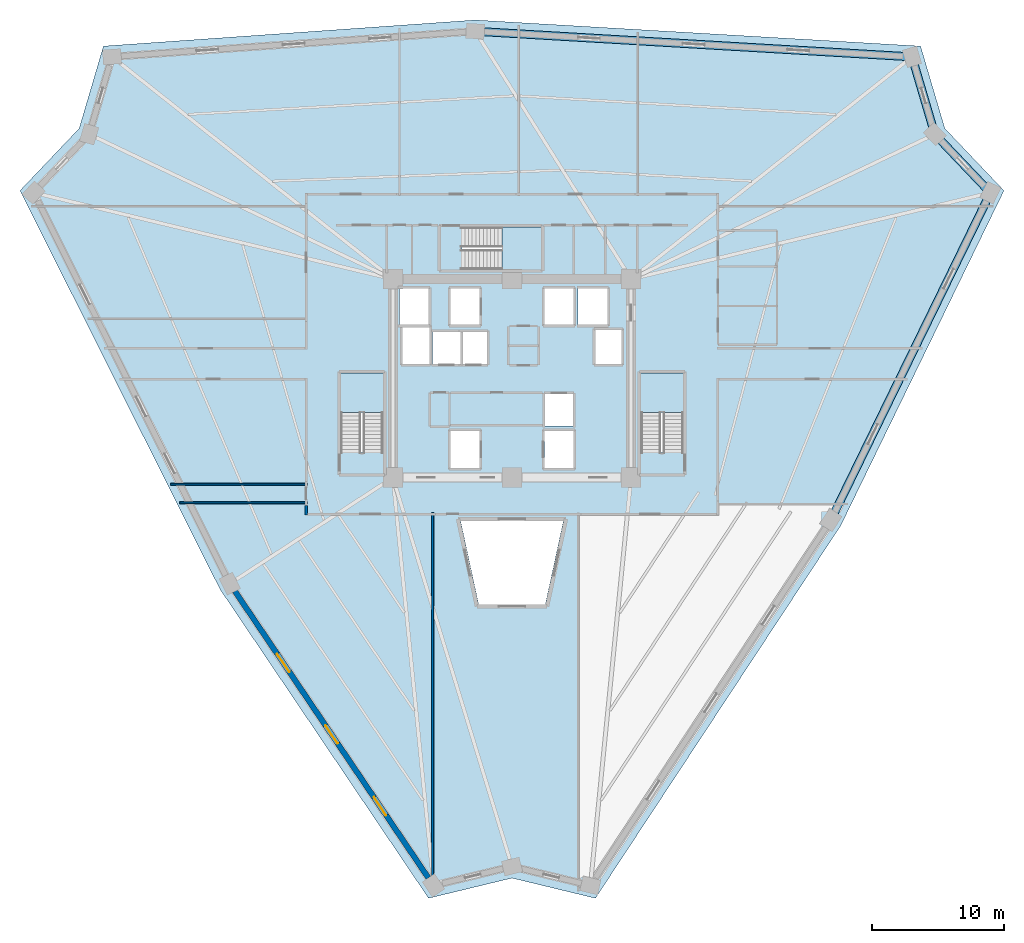
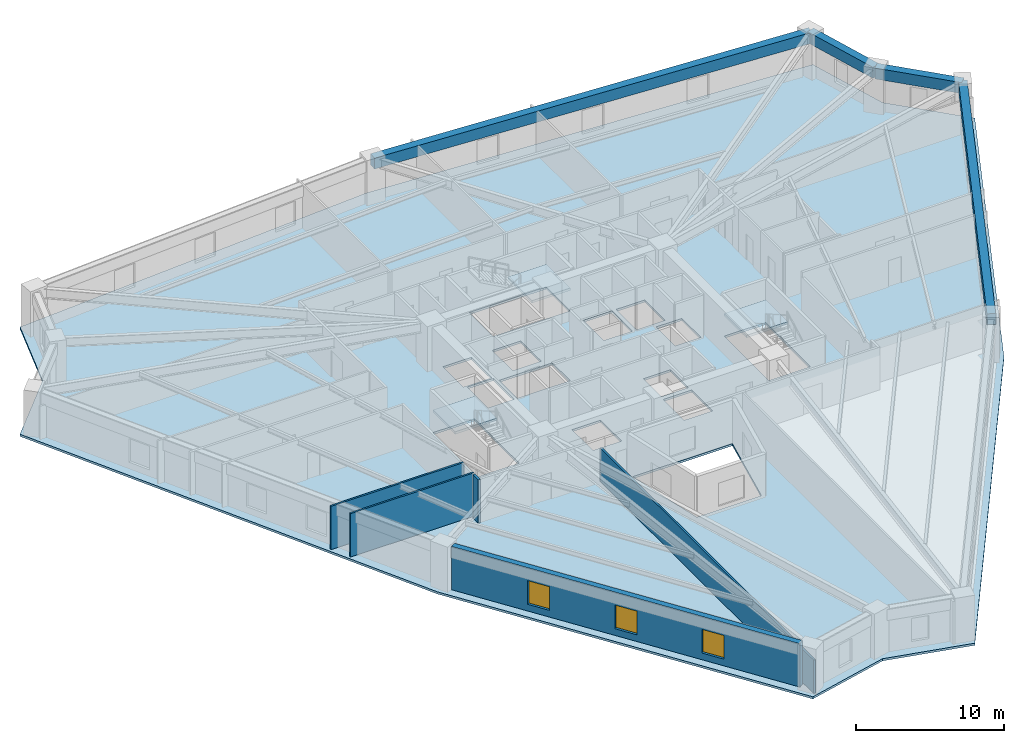
# One storey, part 2 of 10: 5 walls, 4 beams, 4 slabs, 3 windows, 3 openings, 3 elements without a shape of their own.
"""IFC4 building model written with IfcOpenShell, lengths in metres."""

from ifc_helpers import new_model, si_unit, direction, frame, frame_2d, origin, origin_2d, place, context, subcontext, project, spatial, polyline, rectangle, outline, extrude, source, transform, mapped, material, layer, layer_set, material_profile, profile_set, type_object, element, fill, aggregate, save


model = new_model("IFC4")

# Units and contexts
model_context = context("Model", 3, precision=1e-05, world=origin(), true_north=direction((0.0, 1.0)))
body_context = subcontext(model_context, "Body", "Model", "MODEL_VIEW")
ifc_project = project(units=[si_unit("LENGTHUNIT", "METRE"), si_unit("AREAUNIT", "SQUARE_METRE"), si_unit("VOLUMEUNIT", "CUBIC_METRE"), si_unit("PLANEANGLEUNIT", "RADIAN"), si_unit("MASSUNIT", "GRAM", prefix="KILO")], contexts=[model_context])

# Site, building, storey
site_placement = place(None, origin())
site = spatial("IfcSite", under=ifc_project, at=site_placement, CompositionType="ELEMENT")
building_placement = place(site_placement, origin())
building = spatial("IfcBuilding", under=site, at=building_placement, Name="Liaohun Quay Tower", CompositionType="ELEMENT")
storey_placement = place(building_placement, frame((0.0, 0.0, 124.5)))
storey = spatial("IfcBuildingStorey", under=building, at=storey_placement, Name="L32", CompositionType="ELEMENT", Elevation=124.5)

# Beams
ifc_material_1 = material(Name="Precast concrete C55", Category="concrete")
ifc_material_profile = material_profile(ifc_material_1, rectangle(XDim=0.60009765625, YDim=0.89990234375, at=origin_2d()), Name="RC600x900")
ifc_profile_set = profile_set([ifc_material_profile], Name="Precast concrete C55")
beam_type = type_object("IfcBeamType", Name="BM-SPD-Z2", PredefinedType="SPANDREL", material=ifc_profile_set)
shared_shape_1 = source(origin(), body_context, "Body", "SweptSolid", [
    extrude(rectangle(XDim=0.60009765625, YDim=0.89990234375, at=origin_2d()), origin(), (0.0, 0.0, 1.0), 27.518798828125),
])
beam_1_placement = place(storey_placement, frame((96.156005859375, 68.027099609375, 3.1201171875), z_axis=(-0.438130832845, -0.898911215477, 0.0), x_axis=(0.898911215477, -0.438130832845, 0.0)))
element("IfcBeam", 1, at=beam_1_placement, inside=storey, type_object=beam_type, Name="L32 Precast Spandrel Beam PC09-PC10", PredefinedType="SPANDREL", context=body_context, shape_type="MappedRepresentation", body=[
    mapped(shared_shape_1, transform((0.0, 0.0, 0.0), x_axis=(1.0, 0.0, 0.0), y_axis=(0.0, 1.0, 0.0), z_axis=(0.0, 0.0, 1.0), scale=1.0)),
])
shared_shape_2 = source(origin(), body_context, "Body", "SweptSolid", [
    extrude(rectangle(XDim=0.60009765625, YDim=0.89990234375, at=origin_2d()), origin(), (0.0, 0.0, 1.0), 33.05859375),
])
beam_2_placement = place(storey_placement, frame((57.22607421875, 80.22607421875, 3.1201171875), z_axis=(0.998287133367, -0.058504695142, 0.0), x_axis=(0.058504695142, 0.998287133367, 0.0)))
element("IfcBeam", 2, at=beam_2_placement, inside=storey, type_object=beam_type, Name="L32 Precast Spandrel Beam PC06-PC07", PredefinedType="SPANDREL", context=body_context, shape_type="MappedRepresentation", body=[
    mapped(shared_shape_2, transform((0.0, 0.0, 0.0), x_axis=(1.0, 0.0, 0.0), y_axis=(0.0, 1.0, 0.0), z_axis=(0.0, 0.0, 1.0), scale=1.0)),
])
shared_shape_3 = source(origin(), body_context, "Body", "SweptSolid", [
    extrude(rectangle(XDim=0.60009765625, YDim=0.89990234375, at=origin_2d()), origin(), (0.0, 0.0, 1.0), 6.09326171875),
])
beam_3_placement = place(storey_placement, frame((90.22802734375, 78.2919921875, 3.1201171875), z_axis=(0.282591464214, -0.959240357967, 0.0), x_axis=(0.959240357967, 0.282591464214, 0.0)))
element("IfcBeam", 3, at=beam_3_placement, inside=storey, type_object=beam_type, Name="L32 Precast Spandrel Beam PC07-PC08", PredefinedType="SPANDREL", context=body_context, shape_type="MappedRepresentation", body=[
    mapped(shared_shape_3, transform((0.0, 0.0, 0.0), x_axis=(1.0, 0.0, 0.0), y_axis=(0.0, 1.0, 0.0), z_axis=(0.0, 0.0, 1.0), scale=1.0)),
])
shared_shape_4 = source(origin(), body_context, "Body", "SweptSolid", [
    extrude(rectangle(XDim=0.60009765625, YDim=0.89990234375, at=origin_2d()), origin(), (0.0, 0.0, 1.0), 6.101318359375),
])
beam_4_placement = place(storey_placement, frame((91.949951171875, 72.447021484375, 3.1201171875), z_axis=(0.689363360648, -0.724415734918, 0.0), x_axis=(0.724415734918, 0.689363360648, 0.0)))
element("IfcBeam", 4, at=beam_4_placement, inside=storey, type_object=beam_type, Name="L32 Precast Spandrel Beam PC08-PC09", PredefinedType="SPANDREL", context=body_context, shape_type="MappedRepresentation", body=[
    mapped(shared_shape_4, transform((0.0, 0.0, 0.0), x_axis=(1.0, 0.0, 0.0), y_axis=(0.0, 1.0, 0.0), z_axis=(0.0, 0.0, 1.0), scale=1.0)),
])

# Stair, slab
ifc_material_2 = material(Name="Concrete C45", Category="concrete")
stair_type = type_object("IfcStairType", Name="STR-CORE-OFF", PredefinedType="HALF_TURN_STAIR", material=ifc_material_2)
stair_1_placement = place(storey_placement, origin())
stair_1 = element("IfcStair", 5, at=stair_1_placement, inside=storey, type_object=stair_type, Name="L32 Smokeproof Core Exit Stair ST-1", PredefinedType="HALF_TURN_STAIR")
ifc_layer_1 = layer(ifc_material_2, 0.199951171875, Name="Concrete C45", Category="concrete")
ifc_layer_set_1 = layer_set([ifc_layer_1], Name="Concrete C45")
slab_type_1 = type_object("IfcSlabType", Name="SLB-LND-200", PredefinedType="LANDING", material=ifc_layer_set_1)
slab_1_placement = place(storey_placement, frame((0.0, 0.0, 1.675048828125)))
slab_1 = element("IfcSlab", 6, at=slab_1_placement, type_object=slab_type_1, Name="ST-1 landing 1", PredefinedType="LANDING", context=body_context, shape_type="SweptSolid", body=[
    extrude(outline(polyline([(50.280029296875, 51.429931640625), (50.280029296875, 54.419921875), (47.0400390625, 54.419921875), (47.0400390625, 51.429931640625), (50.280029296875, 51.429931640625)])), origin(), (0.0, 0.0, 1.0), 0.199951171875),
])
aggregate(stair_1, [slab_1])

stair_2_placement = place(storey_placement, origin())
stair_2 = element("IfcStair", 7, at=stair_2_placement, inside=storey, type_object=stair_type, Name="L32 Smokeproof Core Exit Stair ST-2", PredefinedType="HALF_TURN_STAIR")
slab_2_placement = place(storey_placement, frame((0.0, 0.0, 1.675048828125)))
slab_2 = element("IfcSlab", 8, at=slab_2_placement, type_object=slab_type_1, Name="ST-2 landing 1", PredefinedType="LANDING", context=body_context, shape_type="SweptSolid", body=[
    extrude(outline(polyline([(72.9599609375, 51.429931640625), (72.9599609375, 54.419921875), (69.719970703125, 54.419921875), (69.719970703125, 51.429931640625), (72.9599609375, 51.429931640625)])), origin(), (0.0, 0.0, 1.0), 0.199951171875),
])
aggregate(stair_2, [slab_2])

stair_3_placement = place(storey_placement, origin())
stair_3 = element("IfcStair", 9, at=stair_3_placement, inside=storey, type_object=stair_type, Name="L32 Smokeproof Core Exit Stair ST-3", PredefinedType="HALF_TURN_STAIR")
slab_3_placement = place(storey_placement, frame((0.0, 0.0, 1.675048828125)))
slab_3 = element("IfcSlab", 10, at=slab_3_placement, type_object=slab_type_1, Name="ST-3 landing 1", PredefinedType="LANDING", context=body_context, shape_type="SweptSolid", body=[
    extrude(outline(polyline([(59.22998046875, 62.199951171875), (62.219970703125, 62.199951171875), (62.219970703125, 65.43994140625), (59.22998046875, 65.43994140625), (59.22998046875, 62.199951171875)])), origin(), (0.0, 0.0, 1.0), 0.199951171875),
])
aggregate(stair_3, [slab_3])

# Slab
ifc_layer_2 = layer(ifc_material_2, 0.179931640625, Name="Concrete C45", Category="concrete")
ifc_layer_set_2 = layer_set([ifc_layer_2], Name="Concrete C45")
slab_type_2 = type_object("IfcSlabType", Name="SLB-OFF-180", PredefinedType="FLOOR", material=ifc_layer_set_2)
slab_4_placement = place(storey_placement, frame((0.0, 0.0, -0.179931640625)))
element("IfcSlab", 11, at=slab_4_placement, inside=storey, type_object=slab_type_2, Name="L32 Structural Floor Slab", PredefinedType="FLOOR", context=body_context, shape_type="SweptSolid", body=[
    extrude(outline(polyline([(53.695068359375, 14.7099609375), (60.0, 16.23291015625), (66.304931640625, 14.7099609375), (84.839111328125, 42.867919921875), (97.178955078125, 68.18505859375), (92.70703125, 72.884033203125), (90.8740234375, 79.10595703125), (57.220947265625, 81.077880859375), (29.1259765625, 79.10595703125), (27.29296875, 72.884033203125), (22.821044921875, 68.18505859375), (37.93896484375, 38.054931640625), (53.695068359375, 14.7099609375)]), holes=[polyline([(57.56005859375, 50.030029296875), (55.340087890625, 50.030029296875), (55.340087890625, 47.2099609375), (57.56005859375, 47.2099609375), (57.56005859375, 50.030029296875)]), polyline([(50.280029296875, 54.419921875), (47.0400390625, 54.419921875), (47.0400390625, 48.409912109375), (50.280029296875, 48.409912109375), (50.280029296875, 54.419921875)]), polyline([(53.989990234375, 55.090087890625), (58.110107421875, 55.090087890625), (58.110107421875, 57.510009765625), (53.989990234375, 57.510009765625), (53.989990234375, 55.090087890625)]), polyline([(53.760009765625, 55.090087890625), (53.760009765625, 57.909912109375), (51.7099609375, 57.909912109375), (51.7099609375, 55.090087890625), (53.760009765625, 55.090087890625)]), polyline([(53.7099609375, 58.0400390625), (53.7099609375, 60.7900390625), (51.489990234375, 60.7900390625), (51.489990234375, 58.0400390625), (53.7099609375, 58.0400390625)]), polyline([(57.56005859375, 58.0400390625), (57.56005859375, 60.7900390625), (55.340087890625, 60.7900390625), (55.340087890625, 58.0400390625), (57.56005859375, 58.0400390625)]), polyline([(62.219970703125, 62.199951171875), (62.219970703125, 65.43994140625), (56.2099609375, 65.43994140625), (56.2099609375, 62.199951171875), (62.219970703125, 62.199951171875)]), polyline([(62.52001953125, 36.924072265625), (63.876953125, 43.199951171875), (56.123046875, 43.199951171875), (57.47998046875, 36.924072265625), (62.52001953125, 36.924072265625)]), polyline([(64.659912109375, 47.2099609375), (64.659912109375, 50.030029296875), (62.43994140625, 50.030029296875), (62.43994140625, 47.2099609375), (64.659912109375, 47.2099609375)]), polyline([(72.9599609375, 54.419921875), (69.719970703125, 54.419921875), (69.719970703125, 48.409912109375), (72.9599609375, 48.409912109375), (72.9599609375, 54.419921875)]), polyline([(64.610107421875, 50.389892578125), (64.610107421875, 52.81005859375), (62.489990234375, 52.81005859375), (62.489990234375, 50.389892578125), (64.610107421875, 50.389892578125)]), polyline([(68.2900390625, 55.090087890625), (68.2900390625, 57.659912109375), (66.2900390625, 57.659912109375), (66.2900390625, 55.090087890625), (68.2900390625, 55.090087890625)]), polyline([(64.659912109375, 58.0400390625), (64.659912109375, 60.7900390625), (62.43994140625, 60.7900390625), (62.43994140625, 58.0400390625), (64.659912109375, 58.0400390625)]), polyline([(67.2099609375, 58.0400390625), (67.2099609375, 60.7900390625), (64.989990234375, 60.7900390625), (64.989990234375, 58.0400390625), (67.2099609375, 58.0400390625)])]), origin(), (0.0, 0.0, 1.0), 0.179931640625),
])

# Wall, openings, windows
ifc_material_3 = material(Name="Precast concrete C50 insulated sandwich", Category="concrete")
ifc_layer_3 = layer(ifc_material_3, 0.419921875, Name="Precast concrete C50 insulated sandwich", Category="concrete")
ifc_layer_set_3 = layer_set([ifc_layer_3], Name="Precast concrete C50 insulated sandwich")
wall_type_1 = type_object("IfcWallType", Name="WAL-EXT-Z12", PredefinedType="SOLIDWALL", material=ifc_layer_set_3)
wall_1_placement = place(storey_placement, frame((39.06005859375, 37.9130859375, 0.0), z_axis=(0.0, 0.0, 1.0), x_axis=(0.559433071817, -0.828875526335, 0.0)))
wall_1 = element("IfcWall", 12, at=wall_1_placement, inside=storey, type_object=wall_type_1, Name="L32 Brutalist Precast Pier Wall 11", PredefinedType="SOLIDWALL", context=body_context, shape_type="SweptSolid", body=[
    extrude(rectangle(XDim=26.13916015625, YDim=0.419921875, at=frame_2d((13.069580078125, 0.0))), origin(), (0.0, 0.0, 1.0), 3.570068359375),
])
shared_shape_5 = source(origin(), body_context, "Body", "SweptSolid", [
    extrude(rectangle(XDim=1.64990234375, YDim=1.949951171875, at=frame_2d((0.824951171875, 0.97509765625))), frame((0.0, 0.219970703125, 0.0), z_axis=(0.0, -1.0, 0.0), x_axis=(1.0, 0.0, 0.0)), (0.0, 0.0, 1.0), 0.43994140625),
])
opening_1_placement = place(wall_1_placement, frame((5.7099609375, 0.0, 0.550048828125)))
opening_1 = element("IfcOpeningElement", 13, at=opening_1_placement, cuts=wall_1, Name="Opening W02", PredefinedType="OPENING", context=body_context, shape_type="MappedRepresentation", body=[
    mapped(shared_shape_5, transform((0.0, 0.0, 0.0), x_axis=(1.0, 0.0, 0.0), y_axis=(0.0, 1.0, 0.0), z_axis=(0.0, 0.0, 1.0), scale=1.0)),
])
opening_2_placement = place(wall_1_placement, frame((12.2451171875, 0.0, 0.550048828125)))
opening_2 = element("IfcOpeningElement", 14, at=opening_2_placement, cuts=wall_1, Name="Opening W02", PredefinedType="OPENING", context=body_context, shape_type="MappedRepresentation", body=[
    mapped(shared_shape_5, transform((0.0, 0.0, 0.0), x_axis=(1.0, 0.0, 0.0), y_axis=(0.0, 1.0, 0.0), z_axis=(0.0, 0.0, 1.0), scale=1.0)),
])
opening_3_placement = place(wall_1_placement, frame((18.779052734375, 0.0, 0.550048828125)))
opening_3 = element("IfcOpeningElement", 15, at=opening_3_placement, cuts=wall_1, Name="Opening W02", PredefinedType="OPENING", context=body_context, shape_type="MappedRepresentation", body=[
    mapped(shared_shape_5, transform((0.0, 0.0, 0.0), x_axis=(1.0, 0.0, 0.0), y_axis=(0.0, 1.0, 0.0), z_axis=(0.0, 0.0, 1.0), scale=1.0)),
])
ifc_material_4 = material(Name="Triple Low-E argon glazing in thermally broken aluminium", Category="aluminium")
window_type = type_object("IfcWindowType", Name="WIN-PUN-Z2", PartitioningType="DOUBLE_PANEL_VERTICAL", PredefinedType="WINDOW", material=ifc_material_4)
shared_shape_6 = source(origin(), body_context, "Body", "SweptSolid", [
    extrude(rectangle(XDim=1.64990234375, YDim=1.949951171875, at=frame_2d((0.824951171875, 0.97509765625))), frame((0.0, 0.030029296875, 0.0), z_axis=(0.0, -1.0, 0.0), x_axis=(1.0, 0.0, 0.0)), (0.0, 0.0, 1.0), 0.06005859375),
])
window_1_placement = place(opening_1_placement, origin())
window_1 = element("IfcWindow", 16, at=window_1_placement, inside=storey, type_object=window_type, Name="L32 Recessed Cold-Climate Punched Window 11-1", OverallHeight=1.949951171875, OverallWidth=1.64990234375, PartitioningType="DOUBLE_PANEL_VERTICAL", PredefinedType="WINDOW", context=body_context, shape_type="MappedRepresentation", body=[
    mapped(shared_shape_6, transform((0.0, 0.0, 0.0), x_axis=(1.0, 0.0, 0.0), y_axis=(0.0, 1.0, 0.0), z_axis=(0.0, 0.0, 1.0), scale=1.0)),
])
fill(opening_1, window_1)
window_2_placement = place(opening_2_placement, origin())
window_2 = element("IfcWindow", 17, at=window_2_placement, inside=storey, type_object=window_type, Name="L32 Recessed Cold-Climate Punched Window 11-2", OverallHeight=1.949951171875, OverallWidth=1.64990234375, PartitioningType="DOUBLE_PANEL_VERTICAL", PredefinedType="WINDOW", context=body_context, shape_type="MappedRepresentation", body=[
    mapped(shared_shape_6, transform((0.0, 0.0, 0.0), x_axis=(1.0, 0.0, 0.0), y_axis=(0.0, 1.0, 0.0), z_axis=(0.0, 0.0, 1.0), scale=1.0)),
])
fill(opening_2, window_2)
window_3_placement = place(opening_3_placement, origin())
window_3 = element("IfcWindow", 18, at=window_3_placement, inside=storey, type_object=window_type, Name="L32 Recessed Cold-Climate Punched Window 11-3", OverallHeight=1.949951171875, OverallWidth=1.64990234375, PartitioningType="DOUBLE_PANEL_VERTICAL", PredefinedType="WINDOW", context=body_context, shape_type="MappedRepresentation", body=[
    mapped(shared_shape_6, transform((0.0, 0.0, 0.0), x_axis=(1.0, 0.0, 0.0), y_axis=(0.0, 1.0, 0.0), z_axis=(0.0, 0.0, 1.0), scale=1.0)),
])
fill(opening_3, window_3)

# Walls
ifc_material_5 = material(Name="Autoclaved aerated concrete blockwork", Category="masonry")
ifc_layer_4 = layer(ifc_material_5, 0.179931640625, Name="Autoclaved aerated concrete blockwork", Category="masonry")
ifc_layer_set_4 = layer_set([ifc_layer_4], Name="Autoclaved aerated concrete blockwork")
wall_type_2 = type_object("IfcWallType", Name="WAL-PRT-COR", PredefinedType="PARTITIONING", material=ifc_layer_set_4)
wall_2_placement = place(storey_placement, frame((44.43994140625, 43.669921875, 0.0), z_axis=(0.0, 0.0, 1.0), x_axis=(0.0, 1.0, 0.0)))
element("IfcWall", 19, at=wall_2_placement, inside=storey, type_object=wall_type_2, Name="L32 Interior Partition Wall 049", PredefinedType="PARTITIONING", context=body_context, shape_type="SweptSolid", body=[
    extrude(rectangle(XDim=0.715087890625, YDim=0.179931640625, at=frame_2d((0.357421875, 0.0))), origin(), (0.0, 0.0, 1.0), 3.570068359375),
])
ifc_material_6 = material(Name="Gypsum board on twin steel studs", Category="steel")
ifc_layer_5 = layer(ifc_material_6, 0.139892578125, Name="Gypsum board on twin steel studs", Category="steel")
ifc_layer_set_5 = layer_set([ifc_layer_5], Name="Gypsum board on twin steel studs")
wall_type_3 = type_object("IfcWallType", Name="WAL-PRT-OFF", PredefinedType="PARTITIONING", material=ifc_layer_set_5)
wall_3_placement = place(storey_placement, frame((44.5400390625, 44.60009765625, 0.0), z_axis=(0.0, 0.0, 1.0), x_axis=(-1.0, 0.0, 0.0)))
element("IfcWall", 20, at=wall_3_placement, inside=storey, type_object=wall_type_3, Name="L32 Interior Partition Wall 052", PredefinedType="PARTITIONING", context=body_context, shape_type="SweptSolid", body=[
    extrude(rectangle(XDim=9.63916015625, YDim=0.139892578125, at=frame_2d((4.819580078125, 0.0))), origin(), (0.0, 0.0, 1.0), 3.570068359375),
])
wall_4_placement = place(storey_placement, frame((44.5400390625, 46.0, 0.0), z_axis=(0.0, 0.0, 1.0), x_axis=(-1.0, 0.0, 0.0)))
element("IfcWall", 21, at=wall_4_placement, inside=storey, type_object=wall_type_3, Name="L32 Interior Partition Wall 053", PredefinedType="PARTITIONING", context=body_context, shape_type="SweptSolid", body=[
    extrude(rectangle(XDim=10.341064453125, YDim=0.139892578125, at=frame_2d((5.17041015625, 0.0))), origin(), (0.0, 0.0, 1.0), 3.570068359375),
])
wall_5_placement = place(storey_placement, frame((54.0, 43.840087890625, 0.0), z_axis=(0.0, 0.0, 1.0), x_axis=(0.0, -1.0, 0.0)))
element("IfcWall", 22, at=wall_5_placement, inside=storey, type_object=wall_type_3, Name="L32 Interior Partition Wall 061", PredefinedType="PARTITIONING", context=body_context, shape_type="SweptSolid", body=[
    extrude(rectangle(XDim=28.830078125, YDim=0.139892578125, at=frame_2d((14.4150390625, 0.0))), origin(), (0.0, 0.0, 1.0), 2.7548828125),
])

save(model, "model.ifc")
